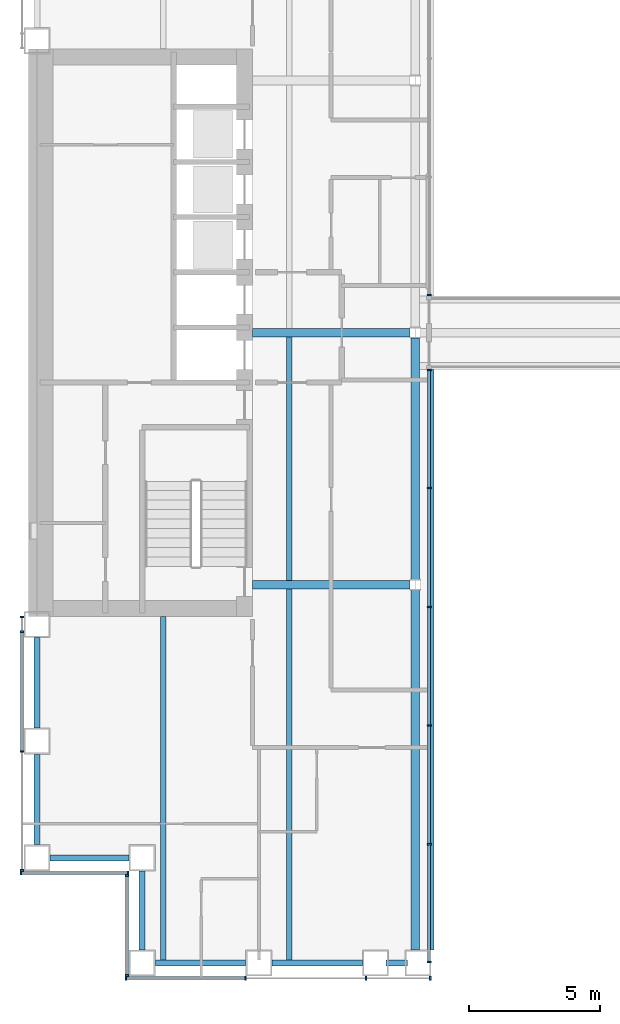
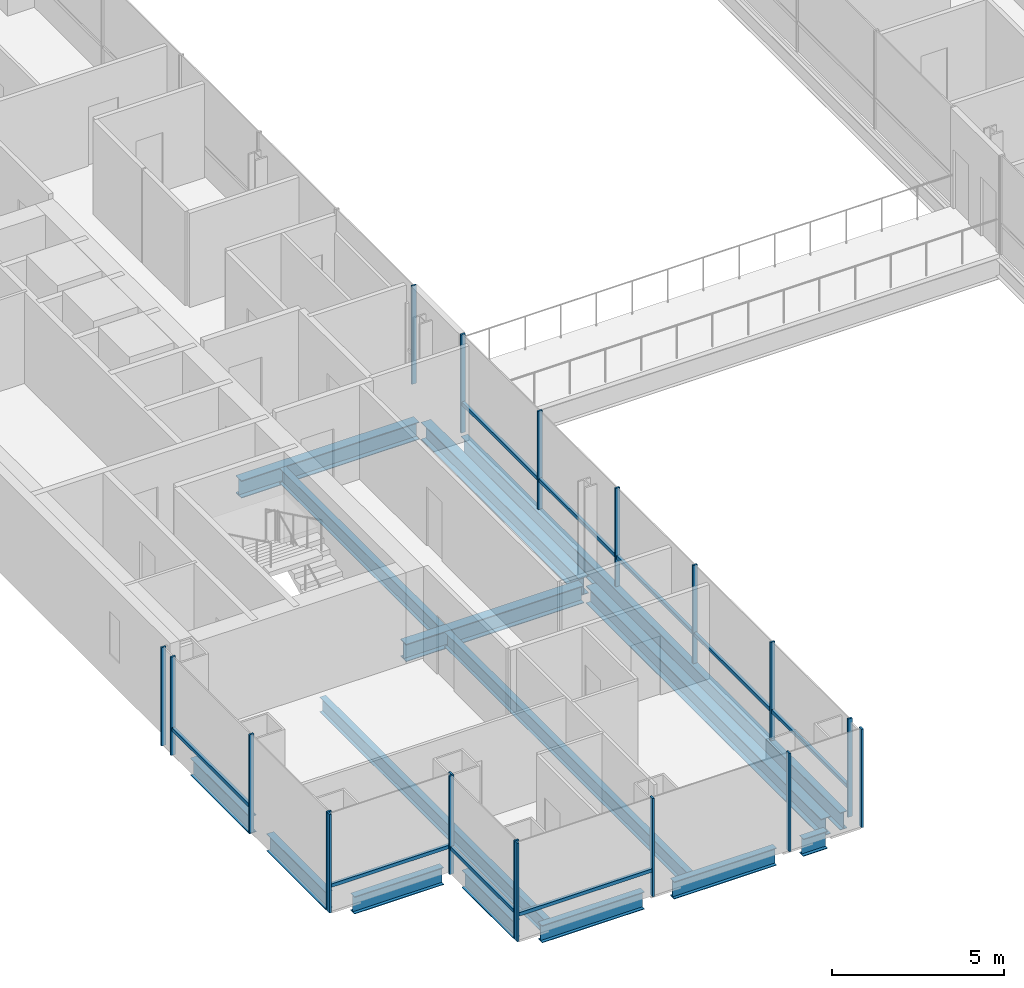
# One storey, part 2 of 18: 28 members, 15 beams, 6 elements without a shape of their own.
"""IFC4 building model written with IfcOpenShell, lengths in metres."""

from ifc_helpers import new_model, si_unit, direction, frame, origin, origin_2d, place, context, subcontext, project, spatial, rectangle, i_section, extrude, material, material_profile, profile_set, type_object, element, aggregate, save


model = new_model("IFC4")

# Units and contexts
model_context = context("Model", 3, precision=1e-05, world=origin(), true_north=direction((0.0, 1.0)))
body_context = subcontext(model_context, "Body", "Model", "MODEL_VIEW")
ifc_project = project(units=[si_unit("LENGTHUNIT", "METRE"), si_unit("AREAUNIT", "SQUARE_METRE"), si_unit("VOLUMEUNIT", "CUBIC_METRE"), si_unit("PLANEANGLEUNIT", "RADIAN"), si_unit("MASSUNIT", "GRAM", prefix="KILO")], contexts=[model_context])

# Site, building, storey
site_placement = place(None, origin())
site = spatial("IfcSite", under=ifc_project, at=site_placement, CompositionType="ELEMENT")
building_placement = place(site_placement, origin())
building = spatial("IfcBuilding", under=site, at=building_placement, Name="Cobrizo Arcos Hotel Tower", CompositionType="ELEMENT")
storey_placement = place(building_placement, frame((0.0, 0.0, 77.5)))
storey = spatial("IfcBuildingStorey", under=building, at=storey_placement, Name="L18", CompositionType="ELEMENT", Elevation=77.5)

# Curtain wall, members
ifc_material_1 = material(Name="Aluminium 6063-T6 anodised bronze", Category="aluminium")
curtain_wall_type_1 = type_object("IfcCurtainWallType", Name="CW-A guest facade", PredefinedType="NOTDEFINED", material=ifc_material_1)
curtain_wall_1_placement = place(storey_placement, origin())
curtain_wall_1 = element("IfcCurtainWall", 1, at=curtain_wall_1_placement, inside=storey, type_object=curtain_wall_type_1, Name="CW-A L18 S face", PredefinedType="NOTDEFINED")
ifc_material_profile_1 = material_profile(ifc_material_1, rectangle(XDim=0.14990234375, YDim=0.06005859375, at=origin_2d()), Name="CW-A mullion 150x60")
ifc_profile_set_1 = profile_set([ifc_material_profile_1], Name="Aluminium 6063-T6 anodised bronze")
member_type_1 = type_object("IfcMemberType", Name="CW-A mullion 150x60", PredefinedType="MULLION", material=ifc_profile_set_1)
member_1_placement = place(storey_placement, frame((-20.6201171875, -24.574951171875, 0.0), z_axis=(0.0, 0.0, 1.0), x_axis=(0.0, -1.0, 0.0)))
member_1 = element("IfcMember", 2, at=member_1_placement, type_object=member_type_1, Name="CW-A mullion 1", PredefinedType="MULLION", context=body_context, shape_type="SweptSolid", body=[
    extrude(rectangle(XDim=0.14990234375, YDim=0.06005859375, at=origin_2d()), origin(), (0.0, 0.0, 1.0), 3.5),
])
member_2_placement = place(storey_placement, frame((-16.06103515625, -24.574951171875, 0.0), z_axis=(0.0, 0.0, 1.0), x_axis=(0.0, -1.0, 0.0)))
member_2 = element("IfcMember", 3, at=member_2_placement, type_object=member_type_1, Name="CW-A mullion 2", PredefinedType="MULLION", context=body_context, shape_type="SweptSolid", body=[
    extrude(rectangle(XDim=0.14990234375, YDim=0.06005859375, at=origin_2d()), origin(), (0.0, 0.0, 1.0), 3.5),
])
member_3_placement = place(storey_placement, frame((-11.47216796875, -24.574951171875, 0.0), z_axis=(0.0, 0.0, 1.0), x_axis=(0.0, -1.0, 0.0)))
member_3 = element("IfcMember", 4, at=member_3_placement, type_object=member_type_1, Name="CW-A mullion 3", PredefinedType="MULLION", context=body_context, shape_type="SweptSolid", body=[
    extrude(rectangle(XDim=0.14990234375, YDim=0.06005859375, at=origin_2d()), origin(), (0.0, 0.0, 1.0), 3.5),
])
member_4_placement = place(storey_placement, frame((-9.030029296875, -24.574951171875, 0.0), z_axis=(0.0, 0.0, 1.0), x_axis=(0.0, -1.0, 0.0)))
member_4 = element("IfcMember", 5, at=member_4_placement, type_object=member_type_1, Name="CW-A mullion 4", PredefinedType="MULLION", context=body_context, shape_type="SweptSolid", body=[
    extrude(rectangle(XDim=0.14990234375, YDim=0.06005859375, at=origin_2d()), origin(), (0.0, 0.0, 1.0), 3.5),
])

curtain_wall_2_placement = place(storey_placement, origin())
curtain_wall_2 = element("IfcCurtainWall", 6, at=curtain_wall_2_placement, inside=storey, type_object=curtain_wall_type_1, Name="CW-A L18 W face", PredefinedType="NOTDEFINED")
member_5_placement = place(storey_placement, frame((-24.574951171875, -10.830078125, 0.0), z_axis=(0.0, 0.0, 1.0), x_axis=(-1.0, 0.0, 0.0)))
member_5 = element("IfcMember", 7, at=member_5_placement, type_object=member_type_1, Name="CW-A mullion 1", PredefinedType="MULLION", context=body_context, shape_type="SweptSolid", body=[
    extrude(rectangle(XDim=0.14990234375, YDim=0.06005859375, at=origin_2d()), origin(), (0.0, 0.0, 1.0), 3.5),
])
member_6_placement = place(storey_placement, frame((-24.574951171875, -11.388916015625, 0.0), z_axis=(0.0, 0.0, 1.0), x_axis=(-1.0, 0.0, 0.0)))
member_6 = element("IfcMember", 8, at=member_6_placement, type_object=member_type_1, Name="CW-A mullion 2", PredefinedType="MULLION", context=body_context, shape_type="SweptSolid", body=[
    extrude(rectangle(XDim=0.14990234375, YDim=0.06005859375, at=origin_2d()), origin(), (0.0, 0.0, 1.0), 3.5),
])
member_7_placement = place(storey_placement, frame((-24.574951171875, -15.9443359375, 0.0), z_axis=(0.0, 0.0, 1.0), x_axis=(-1.0, 0.0, 0.0)))
member_7 = element("IfcMember", 9, at=member_7_placement, type_object=member_type_1, Name="CW-A mullion 3", PredefinedType="MULLION", context=body_context, shape_type="SweptSolid", body=[
    extrude(rectangle(XDim=0.14990234375, YDim=0.06005859375, at=origin_2d()), origin(), (0.0, 0.0, 1.0), 3.5),
])
member_8_placement = place(storey_placement, frame((-24.574951171875, -20.469970703125, 0.0), z_axis=(0.0, 0.0, 1.0), x_axis=(-1.0, 0.0, 0.0)))
member_8 = element("IfcMember", 10, at=member_8_placement, type_object=member_type_1, Name="CW-A mullion 4", PredefinedType="MULLION", context=body_context, shape_type="SweptSolid", body=[
    extrude(rectangle(XDim=0.14990234375, YDim=0.06005859375, at=origin_2d()), origin(), (0.0, 0.0, 1.0), 3.5),
])

curtain_wall_3_placement = place(storey_placement, origin())
curtain_wall_3 = element("IfcCurtainWall", 11, at=curtain_wall_3_placement, inside=storey, type_object=curtain_wall_type_1, Name="CW-A L18 S face", PredefinedType="NOTDEFINED")
member_9_placement = place(storey_placement, frame((-24.6201171875, -20.574951171875, 0.0), z_axis=(0.0, 0.0, 1.0), x_axis=(0.0, -1.0, 0.0)))
member_9 = element("IfcMember", 12, at=member_9_placement, type_object=member_type_1, Name="CW-A mullion 1", PredefinedType="MULLION", context=body_context, shape_type="SweptSolid", body=[
    extrude(rectangle(XDim=0.14990234375, YDim=0.06005859375, at=origin_2d()), origin(), (0.0, 0.0, 1.0), 3.5),
])
member_10_placement = place(storey_placement, frame((-20.530029296875, -20.574951171875, 0.0), z_axis=(0.0, 0.0, 1.0), x_axis=(0.0, -1.0, 0.0)))
member_10 = element("IfcMember", 13, at=member_10_placement, type_object=member_type_1, Name="CW-A mullion 2", PredefinedType="MULLION", context=body_context, shape_type="SweptSolid", body=[
    extrude(rectangle(XDim=0.14990234375, YDim=0.06005859375, at=origin_2d()), origin(), (0.0, 0.0, 1.0), 3.5),
])

curtain_wall_4_placement = place(storey_placement, origin())
curtain_wall_4 = element("IfcCurtainWall", 14, at=curtain_wall_4_placement, inside=storey, type_object=curtain_wall_type_1, Name="CW-A L18 W face", PredefinedType="NOTDEFINED")
member_11_placement = place(storey_placement, frame((-20.574951171875, -20.679931640625, 0.0), z_axis=(0.0, 0.0, 1.0), x_axis=(-1.0, 0.0, 0.0)))
member_11 = element("IfcMember", 15, at=member_11_placement, type_object=member_type_1, Name="CW-A mullion 1", PredefinedType="MULLION", context=body_context, shape_type="SweptSolid", body=[
    extrude(rectangle(XDim=0.14990234375, YDim=0.06005859375, at=origin_2d()), origin(), (0.0, 0.0, 1.0), 3.5),
])
member_12_placement = place(storey_placement, frame((-20.574951171875, -24.469970703125, 0.0), z_axis=(0.0, 0.0, 1.0), x_axis=(-1.0, 0.0, 0.0)))
member_12 = element("IfcMember", 16, at=member_12_placement, type_object=member_type_1, Name="CW-A mullion 2", PredefinedType="MULLION", context=body_context, shape_type="SweptSolid", body=[
    extrude(rectangle(XDim=0.14990234375, YDim=0.06005859375, at=origin_2d()), origin(), (0.0, 0.0, 1.0), 3.5),
])

# Member
ifc_material_profile_2 = material_profile(ifc_material_1, rectangle(XDim=0.10009765625, YDim=0.1201171875, at=origin_2d()), Name="CW-A transom 120x100")
ifc_profile_set_2 = profile_set([ifc_material_profile_2], Name="Aluminium 6063-T6 anodised bronze")
member_type_2 = type_object("IfcMemberType", Name="CW-A transom 120x100", PredefinedType="USERDEFINED", material=ifc_profile_set_2)
member_13_placement = place(storey_placement, frame((-20.590087890625, -24.574951171875, 0.929931640625), z_axis=(1.0, 0.0, 0.0), x_axis=(0.0, 1.0, 0.0)))
member_13 = element("IfcMember", 17, at=member_13_placement, type_object=member_type_2, Name="CW-A transom 749", ObjectType="TRANSOM", PredefinedType="USERDEFINED", context=body_context, shape_type="SweptSolid", body=[
    extrude(rectangle(XDim=0.10009765625, YDim=0.1201171875, at=origin_2d()), origin(), (0.0, 0.0, 1.0), 4.4990234375),
])

aggregate(curtain_wall_1, [member_1, member_2, member_3, member_4, member_13])

member_14_placement = place(storey_placement, frame((-24.574951171875, -11.4189453125, 0.929931640625), z_axis=(0.0, -1.0, 0.0), x_axis=(1.0, 0.0, 0.0)))
member_14 = element("IfcMember", 18, at=member_14_placement, type_object=member_type_2, Name="CW-A transom 777", ObjectType="TRANSOM", PredefinedType="USERDEFINED", context=body_context, shape_type="SweptSolid", body=[
    extrude(rectangle(XDim=0.10009765625, YDim=0.1201171875, at=origin_2d()), origin(), (0.0, 0.0, 1.0), 4.49560546875),
])

aggregate(curtain_wall_2, [member_5, member_6, member_7, member_8, member_14])

member_15_placement = place(storey_placement, frame((-24.590087890625, -20.574951171875, 0.929931640625), z_axis=(1.0, 0.0, 0.0), x_axis=(0.0, 1.0, 0.0)))
member_15 = element("IfcMember", 19, at=member_15_placement, type_object=member_type_2, Name="CW-A transom 779", ObjectType="TRANSOM", PredefinedType="USERDEFINED", context=body_context, shape_type="SweptSolid", body=[
    extrude(rectangle(XDim=0.10009765625, YDim=0.1201171875, at=origin_2d()), origin(), (0.0, 0.0, 1.0), 4.030029296875),
])

aggregate(curtain_wall_3, [member_9, member_10, member_15])

member_16_placement = place(storey_placement, frame((-20.574951171875, -20.7099609375, 0.929931640625), z_axis=(0.0, -1.0, 0.0), x_axis=(1.0, 0.0, 0.0)))
member_16 = element("IfcMember", 20, at=member_16_placement, type_object=member_type_2, Name="CW-A transom 780", ObjectType="TRANSOM", PredefinedType="USERDEFINED", context=body_context, shape_type="SweptSolid", body=[
    extrude(rectangle(XDim=0.10009765625, YDim=0.1201171875, at=origin_2d()), origin(), (0.0, 0.0, 1.0), 3.72998046875),
])

aggregate(curtain_wall_4, [member_11, member_12, member_16])

# Curtain wall, member
curtain_wall_type_2 = type_object("IfcCurtainWallType", Name="CW-F void screen", PredefinedType="NOTDEFINED", material=ifc_material_1)
curtain_wall_5_placement = place(storey_placement, origin())
curtain_wall_5 = element("IfcCurtainWall", 21, at=curtain_wall_5_placement, inside=storey, type_object=curtain_wall_type_2, Name="CW-F L18 void screen A", PredefinedType="NOTDEFINED")
ifc_material_profile_3 = material_profile(ifc_material_1, rectangle(XDim=0.14990234375, YDim=0.06005859375, at=origin_2d()), Name="CW-F mullion 150x60")
ifc_profile_set_3 = profile_set([ifc_material_profile_3], Name="Aluminium 6063-T6 anodised bronze")
member_type_3 = type_object("IfcMemberType", Name="CW-F mullion 150x60", PredefinedType="MULLION", material=ifc_profile_set_3)
member_17_placement = place(storey_placement, frame((-9.074951171875, 1.429931640625, 0.0), z_axis=(0.0, 0.0, 1.0), x_axis=(-1.0, 0.0, 0.0)))
member_17 = element("IfcMember", 22, at=member_17_placement, type_object=member_type_3, Name="CW-F mullion 6", PredefinedType="MULLION", context=body_context, shape_type="SweptSolid", body=[
    extrude(rectangle(XDim=0.14990234375, YDim=0.06005859375, at=origin_2d()), origin(), (0.0, 0.0, 1.0), 3.5),
])
aggregate(curtain_wall_5, [member_17])

# Curtain wall, members
curtain_wall_6_placement = place(storey_placement, origin())
curtain_wall_6 = element("IfcCurtainWall", 23, at=curtain_wall_6_placement, inside=storey, type_object=curtain_wall_type_2, Name="CW-F L18 void screen A", PredefinedType="NOTDEFINED")
member_18_placement = place(storey_placement, frame((-9.074951171875, -1.429931640625, 0.0), z_axis=(0.0, 0.0, 1.0), x_axis=(-1.0, 0.0, 0.0)))
member_18 = element("IfcMember", 24, at=member_18_placement, type_object=member_type_3, Name="CW-F mullion 1", PredefinedType="MULLION", context=body_context, shape_type="SweptSolid", body=[
    extrude(rectangle(XDim=0.14990234375, YDim=0.06005859375, at=origin_2d()), origin(), (0.0, 0.0, 1.0), 3.5),
])
member_19_placement = place(storey_placement, frame((-9.074951171875, -5.919921875, 0.0), z_axis=(0.0, 0.0, 1.0), x_axis=(-1.0, 0.0, 0.0)))
member_19 = element("IfcMember", 25, at=member_19_placement, type_object=member_type_3, Name="CW-F mullion 2", PredefinedType="MULLION", context=body_context, shape_type="SweptSolid", body=[
    extrude(rectangle(XDim=0.14990234375, YDim=0.06005859375, at=origin_2d()), origin(), (0.0, 0.0, 1.0), 3.5),
])
member_20_placement = place(storey_placement, frame((-9.074951171875, -10.43994140625, 0.0), z_axis=(0.0, 0.0, 1.0), x_axis=(-1.0, 0.0, 0.0)))
member_20 = element("IfcMember", 26, at=member_20_placement, type_object=member_type_3, Name="CW-F mullion 3", PredefinedType="MULLION", context=body_context, shape_type="SweptSolid", body=[
    extrude(rectangle(XDim=0.14990234375, YDim=0.06005859375, at=origin_2d()), origin(), (0.0, 0.0, 1.0), 3.5),
])
member_21_placement = place(storey_placement, frame((-9.074951171875, -14.9599609375, 0.0), z_axis=(0.0, 0.0, 1.0), x_axis=(-1.0, 0.0, 0.0)))
member_21 = element("IfcMember", 27, at=member_21_placement, type_object=member_type_3, Name="CW-F mullion 4", PredefinedType="MULLION", context=body_context, shape_type="SweptSolid", body=[
    extrude(rectangle(XDim=0.14990234375, YDim=0.06005859375, at=origin_2d()), origin(), (0.0, 0.0, 1.0), 3.5),
])
member_22_placement = place(storey_placement, frame((-9.074951171875, -19.47998046875, 0.0), z_axis=(0.0, 0.0, 1.0), x_axis=(-1.0, 0.0, 0.0)))
member_22 = element("IfcMember", 28, at=member_22_placement, type_object=member_type_3, Name="CW-F mullion 5", PredefinedType="MULLION", context=body_context, shape_type="SweptSolid", body=[
    extrude(rectangle(XDim=0.14990234375, YDim=0.06005859375, at=origin_2d()), origin(), (0.0, 0.0, 1.0), 3.5),
])
member_23_placement = place(storey_placement, frame((-9.074951171875, -23.969970703125, 0.0), z_axis=(0.0, 0.0, 1.0), x_axis=(-1.0, 0.0, 0.0)))
member_23 = element("IfcMember", 29, at=member_23_placement, type_object=member_type_3, Name="CW-F mullion 6", PredefinedType="MULLION", context=body_context, shape_type="SweptSolid", body=[
    extrude(rectangle(XDim=0.14990234375, YDim=0.06005859375, at=origin_2d()), origin(), (0.0, 0.0, 1.0), 3.5),
])
ifc_material_profile_4 = material_profile(ifc_material_1, rectangle(XDim=0.10009765625, YDim=0.1201171875, at=origin_2d()), Name="CW-F transom 120x100")
ifc_profile_set_4 = profile_set([ifc_material_profile_4], Name="Aluminium 6063-T6 anodised bronze")
member_type_4 = type_object("IfcMemberType", Name="CW-F transom 120x100", PredefinedType="USERDEFINED", material=ifc_profile_set_4)
member_24_placement = place(storey_placement, frame((-9.074951171875, -1.4599609375, 1.050048828125), z_axis=(0.0, -1.0, 0.0), x_axis=(1.0, 0.0, 0.0)))
member_24 = element("IfcMember", 30, at=member_24_placement, type_object=member_type_4, Name="CW-F transom 2543", ObjectType="TRANSOM", PredefinedType="USERDEFINED", context=body_context, shape_type="SweptSolid", body=[
    extrude(rectangle(XDim=0.10009765625, YDim=0.1201171875, at=origin_2d()), origin(), (0.0, 0.0, 1.0), 4.429931640625),
])
member_25_placement = place(storey_placement, frame((-9.074951171875, -5.949951171875, 1.050048828125), z_axis=(0.0, -1.0, 0.0), x_axis=(1.0, 0.0, 0.0)))
member_25 = element("IfcMember", 31, at=member_25_placement, type_object=member_type_4, Name="CW-F transom 2544", ObjectType="TRANSOM", PredefinedType="USERDEFINED", context=body_context, shape_type="SweptSolid", body=[
    extrude(rectangle(XDim=0.10009765625, YDim=0.1201171875, at=origin_2d()), origin(), (0.0, 0.0, 1.0), 4.4599609375),
])
member_26_placement = place(storey_placement, frame((-9.074951171875, -10.469970703125, 1.050048828125), z_axis=(0.0, -1.0, 0.0), x_axis=(1.0, 0.0, 0.0)))
member_26 = element("IfcMember", 32, at=member_26_placement, type_object=member_type_4, Name="CW-F transom 2545", ObjectType="TRANSOM", PredefinedType="USERDEFINED", context=body_context, shape_type="SweptSolid", body=[
    extrude(rectangle(XDim=0.10009765625, YDim=0.1201171875, at=origin_2d()), origin(), (0.0, 0.0, 1.0), 4.4599609375),
])
member_27_placement = place(storey_placement, frame((-9.074951171875, -14.989990234375, 1.050048828125), z_axis=(0.0, -1.0, 0.0), x_axis=(1.0, 0.0, 0.0)))
member_27 = element("IfcMember", 33, at=member_27_placement, type_object=member_type_4, Name="CW-F transom 2546", ObjectType="TRANSOM", PredefinedType="USERDEFINED", context=body_context, shape_type="SweptSolid", body=[
    extrude(rectangle(XDim=0.10009765625, YDim=0.1201171875, at=origin_2d()), origin(), (0.0, 0.0, 1.0), 4.4599609375),
])
member_28_placement = place(storey_placement, frame((-9.074951171875, -19.510009765625, 1.050048828125), z_axis=(0.0, -1.0, 0.0), x_axis=(1.0, 0.0, 0.0)))
member_28 = element("IfcMember", 34, at=member_28_placement, type_object=member_type_4, Name="CW-F transom 2547", ObjectType="TRANSOM", PredefinedType="USERDEFINED", context=body_context, shape_type="SweptSolid", body=[
    extrude(rectangle(XDim=0.10009765625, YDim=0.1201171875, at=origin_2d()), origin(), (0.0, 0.0, 1.0), 4.429931640625),
])
aggregate(curtain_wall_6, [member_18, member_19, member_20, member_21, member_22, member_23, member_24, member_25, member_26, member_27, member_28])

# Beams
ifc_material_2 = material(Name="Steel ASTM A992 Grade 50", Category="steel")
ifc_material_profile_5 = material_profile(ifc_material_2, i_section(OverallWidth=0.209228515625, OverallDepth=0.533447265625, WebThickness=0.01025390625, FlangeThickness=0.015625, at=origin_2d()), Name="W21X62")
ifc_profile_set_5 = profile_set([ifc_material_profile_5], Name="Steel ASTM A992 Grade 50")
beam_type_1 = type_object("IfcBeamType", Name="W21X62 joist", PredefinedType="JOIST", material=ifc_profile_set_5)
beam_1_placement = place(storey_placement, frame((-19.199951171875, -23.909912109375, -0.416748046875), z_axis=(0.0, 1.0, 0.0), x_axis=(-1.0, 0.0, 0.0)))
element("IfcBeam", 35, at=beam_1_placement, inside=storey, type_object=beam_type_1, Name="Floor joist J1, L18, no. 001", PredefinedType="JOIST", context=body_context, shape_type="SweptSolid", body=[
    extrude(i_section(OverallWidth=0.209228515625, OverallDepth=0.533447265625, WebThickness=0.01025390625, FlangeThickness=0.015625, at=origin_2d()), origin(), (0.0, 0.0, 1.0), 13.099853515625),
])
beam_2_placement = place(storey_placement, frame((-14.39990234375, -23.909912109375, -0.416748046875), z_axis=(0.0, 1.0, 0.0), x_axis=(-1.0, 0.0, 0.0)))
element("IfcBeam", 36, at=beam_2_placement, inside=storey, type_object=beam_type_1, Name="Floor joist J1, L18, no. 003", PredefinedType="JOIST", context=body_context, shape_type="SweptSolid", body=[
    extrude(i_section(OverallWidth=0.209228515625, OverallDepth=0.533447265625, WebThickness=0.01025390625, FlangeThickness=0.015625, at=origin_2d()), origin(), (0.0, 0.0, 1.0), 14.14599609375),
])
beam_3_placement = place(storey_placement, frame((-14.39990234375, -9.43603515625, -0.416748046875), z_axis=(0.0, 1.0, 0.0), x_axis=(-1.0, 0.0, 0.0)))
element("IfcBeam", 37, at=beam_3_placement, inside=storey, type_object=beam_type_1, Name="Floor joist J1, L18, no. 004", PredefinedType="JOIST", context=body_context, shape_type="SweptSolid", body=[
    extrude(i_section(OverallWidth=0.209228515625, OverallDepth=0.533447265625, WebThickness=0.01025390625, FlangeThickness=0.015625, at=origin_2d()), origin(), (0.0, 0.0, 1.0), 9.272216796875),
])
ifc_material_profile_6 = material_profile(ifc_material_2, i_section(OverallWidth=0.32763671875, OverallDepth=0.622314453125, WebThickness=0.015380859375, FlangeThickness=0.0244140625, at=origin_2d()), Name="W24X131")
ifc_profile_set_6 = profile_set([ifc_material_profile_6], Name="Steel ASTM A992 Grade 50")
beam_type_2 = type_object("IfcBeamType", Name="W24X131 girder", PredefinedType="BEAM", material=ifc_profile_set_6)
for number, where, z_axis, x_axis, name in (
    (38, (-15.7900390625, -9.60009765625, -0.461181640625), (1.0, 0.0, 0.0), (0.0, 1.0, 0.0), "Floor girder G1, L18, no. 001"),
    (39, (-15.7900390625, 0.0, -0.461181640625), (1.0, 0.0, 0.0), (0.0, 1.0, 0.0), "Floor girder G1, L18, no. 003"),
):
    element("IfcBeam", number, at=place(storey_placement, frame(where, z_axis=z_axis, x_axis=x_axis)), inside=storey, type_object=beam_type_2, Name=name, PredefinedType="BEAM", context=body_context, shape_type="SweptSolid", body=[
        extrude(i_section(OverallWidth=0.32763671875, OverallDepth=0.622314453125, WebThickness=0.015380859375, FlangeThickness=0.0244140625, at=origin_2d()), origin(), (0.0, 0.0, 1.0), 5.985595703125),
    ])
beam_4_placement = place(storey_placement, frame((-9.60009765625, -23.5, -0.461181640625), z_axis=(0.0, 1.0, 0.0), x_axis=(-1.0, 0.0, 0.0)))
element("IfcBeam", 40, at=beam_4_placement, inside=storey, type_object=beam_type_2, Name="Floor girder G1, L18, no. 008", PredefinedType="BEAM", context=body_context, shape_type="SweptSolid", body=[
    extrude(i_section(OverallWidth=0.32763671875, OverallDepth=0.622314453125, WebThickness=0.015380859375, FlangeThickness=0.0244140625, at=origin_2d()), origin(), (0.0, 0.0, 1.0), 13.695556640625),
])
beam_5_placement = place(storey_placement, frame((-9.60009765625, -9.3955078125, -0.461181640625), z_axis=(0.0, 1.0, 0.0), x_axis=(-1.0, 0.0, 0.0)))
element("IfcBeam", 41, at=beam_5_placement, inside=storey, type_object=beam_type_2, Name="Floor girder G1, L18, no. 009", PredefinedType="BEAM", context=body_context, shape_type="SweptSolid", body=[
    extrude(i_section(OverallWidth=0.32763671875, OverallDepth=0.622314453125, WebThickness=0.015380859375, FlangeThickness=0.0244140625, at=origin_2d()), origin(), (0.0, 0.0, 1.0), 9.191162109375),
])
ifc_material_profile_7 = material_profile(ifc_material_2, i_section(OverallWidth=0.23046875, OverallDepth=0.6171875, WebThickness=0.01318359375, FlangeThickness=0.022216796875, at=origin_2d()), Name="W24X94")
ifc_profile_set_7 = profile_set([ifc_material_profile_7], Name="Steel ASTM A992 Grade 50")
beam_type_3 = type_object("IfcBeamType", Name="W24X94 spandrel", PredefinedType="SPANDREL", material=ifc_profile_set_7)
beam_6_placement = place(storey_placement, frame((-9.0, -1.39990234375, -0.45849609375), z_axis=(0.0, -1.0, 0.0), x_axis=(1.0, 0.0, 0.0)))
element("IfcBeam", 42, at=beam_6_placement, inside=storey, type_object=beam_type_3, Name="Spandrel beam W24X94, L18, no. 012", PredefinedType="SPANDREL", context=body_context, shape_type="SweptSolid", body=[
    extrude(i_section(OverallWidth=0.23046875, OverallDepth=0.6171875, WebThickness=0.01318359375, FlangeThickness=0.022216796875, at=origin_2d()), origin(), (0.0, 0.0, 1.0), 22.10009765625),
])
beam_7_placement = place(storey_placement, frame((-9.89990234375, -24.0, -0.45849609375), z_axis=(-1.0, 0.0, 0.0), x_axis=(0.0, -1.0, 0.0)))
element("IfcBeam", 43, at=beam_7_placement, inside=storey, type_object=beam_type_3, Name="Spandrel beam W24X94, L18, no. 013", PredefinedType="SPANDREL", context=body_context, shape_type="SweptSolid", body=[
    extrude(i_section(OverallWidth=0.23046875, OverallDepth=0.6171875, WebThickness=0.01318359375, FlangeThickness=0.022216796875, at=origin_2d()), origin(), (0.0, 0.0, 1.0), 0.81103515625),
])
beam_8_placement = place(storey_placement, frame((-11.611083984375, -24.0, -0.45849609375), z_axis=(-1.0, 0.0, 0.0), x_axis=(0.0, -1.0, 0.0)))
element("IfcBeam", 44, at=beam_8_placement, inside=storey, type_object=beam_type_3, Name="Spandrel beam W24X94, L18, no. 014", PredefinedType="SPANDREL", context=body_context, shape_type="SweptSolid", body=[
    extrude(i_section(OverallWidth=0.23046875, OverallDepth=0.6171875, WebThickness=0.01318359375, FlangeThickness=0.022216796875, at=origin_2d()), origin(), (0.0, 0.0, 1.0), 3.44482421875),
])
beam_9_placement = place(storey_placement, frame((-16.055908203125, -24.0, -0.45849609375), z_axis=(-1.0, 0.0, 0.0), x_axis=(0.0, -1.0, 0.0)))
element("IfcBeam", 45, at=beam_9_placement, inside=storey, type_object=beam_type_3, Name="Spandrel beam W24X94, L18, no. 015", PredefinedType="SPANDREL", context=body_context, shape_type="SweptSolid", body=[
    extrude(i_section(OverallWidth=0.23046875, OverallDepth=0.6171875, WebThickness=0.01318359375, FlangeThickness=0.022216796875, at=origin_2d()), origin(), (0.0, 0.0, 1.0), 3.444091796875),
])
for number, where, z_axis, x_axis, name in (
    (46, (-20.0, -23.5, -0.45849609375), (0.0, 1.0, 0.0), (-1.0, 0.0, 0.0), "Spandrel beam W24X94, L18, no. 016"),
    (47, (-20.5, -20.0, -0.45849609375), (-1.0, 0.0, 0.0), (0.0, -1.0, 0.0), "Spandrel beam W24X94, L18, no. 017"),
):
    element("IfcBeam", number, at=place(storey_placement, frame(where, z_axis=z_axis, x_axis=x_axis)), inside=storey, type_object=beam_type_3, Name=name, PredefinedType="SPANDREL", context=body_context, shape_type="SweptSolid", body=[
        extrude(i_section(OverallWidth=0.23046875, OverallDepth=0.6171875, WebThickness=0.01318359375, FlangeThickness=0.022216796875, at=origin_2d()), origin(), (0.0, 0.0, 1.0), 3.0),
    ])
beam_10_placement = place(storey_placement, frame((-24.0, -19.5, -0.45849609375), z_axis=(0.0, 1.0, 0.0), x_axis=(-1.0, 0.0, 0.0)))
element("IfcBeam", 48, at=beam_10_placement, inside=storey, type_object=beam_type_3, Name="Spandrel beam W24X94, L18, no. 018", PredefinedType="SPANDREL", context=body_context, shape_type="SweptSolid", body=[
    extrude(i_section(OverallWidth=0.23046875, OverallDepth=0.6171875, WebThickness=0.01318359375, FlangeThickness=0.022216796875, at=origin_2d()), origin(), (0.0, 0.0, 1.0), 3.444091796875),
])
beam_11_placement = place(storey_placement, frame((-24.0, -15.055908203125, -0.45849609375), z_axis=(0.0, 1.0, 0.0), x_axis=(-1.0, 0.0, 0.0)))
element("IfcBeam", 49, at=beam_11_placement, inside=storey, type_object=beam_type_3, Name="Spandrel beam W24X94, L18, no. 019", PredefinedType="SPANDREL", context=body_context, shape_type="SweptSolid", body=[
    extrude(i_section(OverallWidth=0.23046875, OverallDepth=0.6171875, WebThickness=0.01318359375, FlangeThickness=0.022216796875, at=origin_2d()), origin(), (0.0, 0.0, 1.0), 3.44482421875),
])

save(model, "model.ifc")
